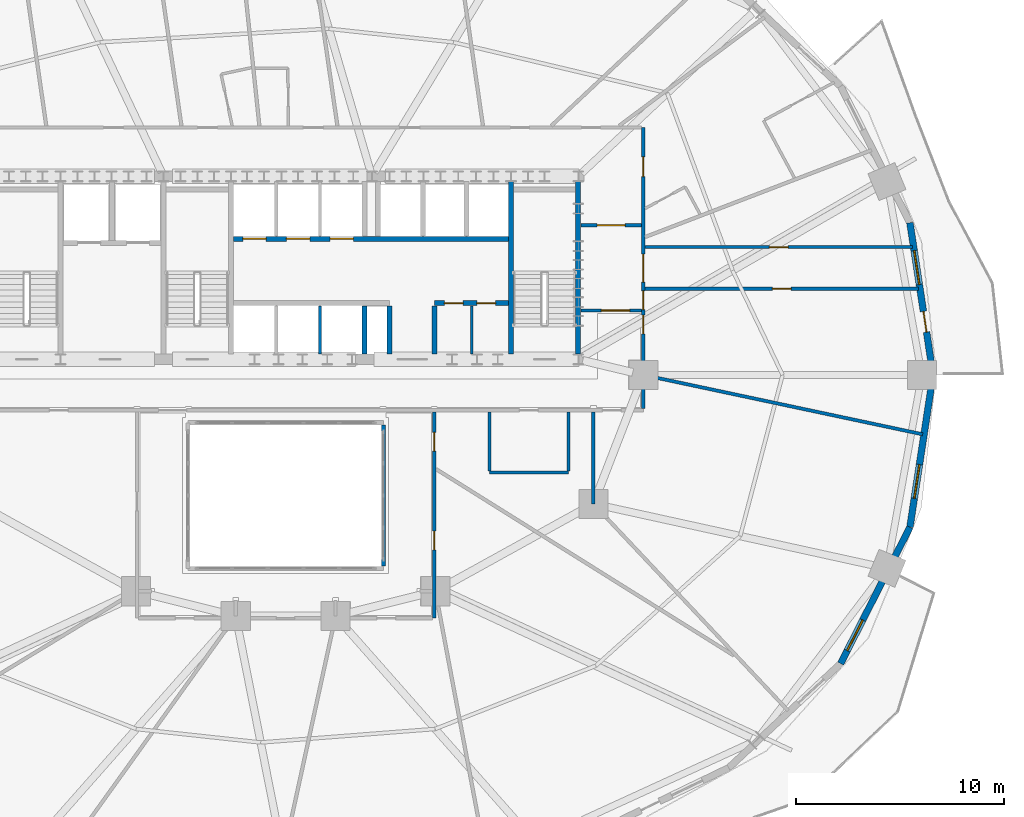
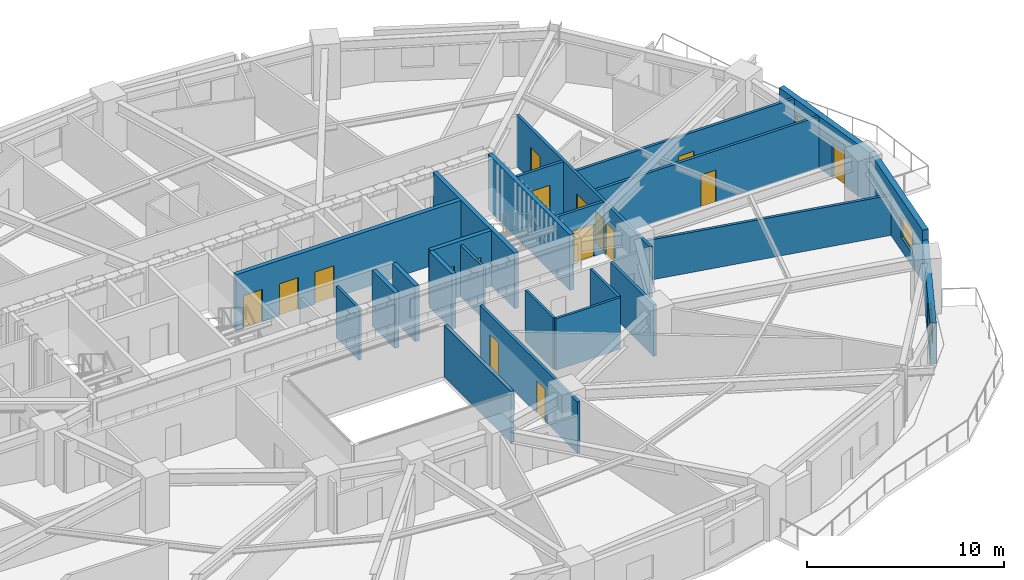
# One storey, part 11 of 17: 24 walls, 16 doors, 3 windows, 19 openings.
"""IFC4 building model written with IfcOpenShell, lengths in metres."""

from ifc_helpers import new_model, si_unit, direction, frame, frame_2d, origin, place, context, subcontext, project, spatial, rectangle, extrude, material, layer, layer_set, type_object, element, fill, save


model = new_model("IFC4")

# Units and contexts
model_context = context("Model", 3, precision=1e-05, world=origin(), true_north=direction((0.0, 1.0)))
body_context = subcontext(model_context, "Body", "Model", "MODEL_VIEW")
ifc_project = project(units=[si_unit("LENGTHUNIT", "METRE"), si_unit("AREAUNIT", "SQUARE_METRE"), si_unit("VOLUMEUNIT", "CUBIC_METRE"), si_unit("PLANEANGLEUNIT", "RADIAN"), si_unit("MASSUNIT", "GRAM", prefix="KILO")], contexts=[model_context])

# Site, building, storey
site_placement = place(None, origin())
site = spatial("IfcSite", under=ifc_project, at=site_placement, CompositionType="ELEMENT")
building_placement = place(site_placement, origin())
building = spatial("IfcBuilding", under=site, at=building_placement, Name="Haldorwick Loom Tower", CompositionType="ELEMENT")
storey_placement = place(building_placement, frame((0.0, 0.0, 27.449951171875)))
storey = spatial("IfcBuildingStorey", under=building, at=storey_placement, Name="L06", CompositionType="ELEMENT", Elevation=27.449951171875)

# Wall, openings, door, window
ifc_material_1 = material(Name="Pressed Clay Face Brick and Insulated Masonry Backup Assembly", Category="masonry")
ifc_layer_1 = layer(ifc_material_1, 0.320068359375, Name="Pressed Clay Face Brick and Insulated Masonry Backup Assembly", Category="masonry")
ifc_layer_set_1 = layer_set([ifc_layer_1], Name="Pressed Clay Face Brick and Insulated Masonry Backup Assembly")
wall_type_1 = type_object("IfcWallType", Name="ARC-WL-EXT320", PredefinedType="STANDARD", material=ifc_layer_set_1)
wall_1_placement = place(storey_placement, frame((67.135986328125, 26.0, 0.0), z_axis=(0.0, 0.0, 1.0), x_axis=(-0.150476322528, 0.988613613278, 0.0)))
wall_1 = element("IfcWall", 1, at=wall_1_placement, inside=storey, type_object=wall_type_1, Name="L06 Brick Pier and Spandrel Wall 1", PredefinedType="STANDARD", context=body_context, shape_type="SweptSolid", body=[
    extrude(rectangle(XDim=7.40478515625, YDim=0.320068359375, at=frame_2d((3.702392578125, 0.0))), origin(), (0.0, 0.0, 1.0), 3.2099609375),
])
opening_1_placement = place(wall_1_placement, frame((2.087646484375, 0.0, 0.0)))
opening_1 = element("IfcOpeningElement", 2, at=opening_1_placement, cuts=wall_1, Name="Opening D-BL10", PredefinedType="OPENING", context=body_context, shape_type="SweptSolid", body=[
    extrude(rectangle(XDim=1.0, YDim=2.0400390625, at=frame_2d((0.5, 1.02001953125))), frame((0.0, 0.169921875, 0.0), z_axis=(0.0, -1.0, 0.0), x_axis=(1.0, 0.0, 0.0)), (0.0, 0.0, 1.0), 0.340087890625),
])
opening_2_placement = place(wall_1_placement, frame((4.39990234375, 0.0, 0.800048828125)))
opening_2 = element("IfcOpeningElement", 3, at=opening_2_placement, cuts=wall_1, Name="Opening W-01B", PredefinedType="OPENING", context=body_context, shape_type="SweptSolid", body=[
    extrude(rectangle(XDim=1.64990234375, YDim=1.449951171875, at=frame_2d((0.824951171875, 0.72509765625))), frame((0.0, 0.169921875, 0.0), z_axis=(0.0, -1.0, 0.0), x_axis=(1.0, 0.0, 0.0)), (0.0, 0.0, 1.0), 0.340087890625),
])
ifc_material_2 = material(Name="Thermally Broken Anodized Aluminium Curtain Wall Framing", Category="aluminium")
door_type_1 = type_object("IfcDoorType", Name="ARC-DR-BAL100", OperationType="NOTDEFINED", PredefinedType="DOOR", material=ifc_material_2)
door_1_placement = place(opening_1_placement, origin())
door_1 = element("IfcDoor", 4, at=door_1_placement, inside=storey, type_object=door_type_1, Name="L06 Outdoor Terrace Door SLB-L06-BAL_ENE", OperationType="SINGLE_SWING_RIGHT", OverallHeight=2.0400390625, OverallWidth=1.0, PredefinedType="DOOR", context=body_context, shape_type="SweptSolid", body=[
    extrude(rectangle(XDim=1.0, YDim=2.0400390625, at=frame_2d((0.5, 1.02001953125))), frame((0.0, 0.02490234375, 0.0), z_axis=(0.0, -1.0, 0.0), x_axis=(1.0, 0.0, 0.0)), (0.0, 0.0, 1.0), 0.050048828125),
])
fill(opening_1, door_1)
ifc_material_3 = material(Name="Triple-Glazed Low-E Argon Insulated Glazing Unit", Category="glass")
window_type = type_object("IfcWindowType", Name="ARC-WIN-W165", PartitioningType="SINGLE_PANEL", PredefinedType="WINDOW", material=ifc_material_3)
window_1_placement = place(opening_2_placement, origin())
window_1 = element("IfcWindow", 5, at=window_1_placement, inside=storey, type_object=window_type, Name="L06 Deep-Set Zone 7A Window 1", OverallHeight=1.449951171875, OverallWidth=1.64990234375, PartitioningType="SINGLE_PANEL", PredefinedType="WINDOW", context=body_context, shape_type="SweptSolid", body=[
    extrude(rectangle(XDim=1.64990234375, YDim=1.449951171875, at=frame_2d((0.824951171875, 0.72509765625))), frame((0.0, 0.030029296875, 0.0), z_axis=(0.0, -1.0, 0.0), x_axis=(1.0, 0.0, 0.0)), (0.0, 0.0, 1.0), 0.06005859375),
])
fill(opening_2, window_1)

# Wall, opening, window
wall_2_placement = place(storey_placement, frame((62.688720703125, 12.119140625, 0.0), z_axis=(0.0, 0.0, 1.0), x_axis=(0.452950855928, 0.891535485617, 0.0)))
wall_2 = element("IfcWall", 6, at=wall_2_placement, inside=storey, type_object=wall_type_1, Name="L06 Brick Pier and Spandrel Wall 23", PredefinedType="STANDARD", context=body_context, shape_type="SweptSolid", body=[
    extrude(rectangle(XDim=7.3583984375, YDim=0.320068359375, at=frame_2d((3.67919921875, 0.0))), origin(), (0.0, 0.0, 1.0), 2.569091796875),
])
opening_3_placement = place(wall_2_placement, frame((0.69921875, 0.0, 0.800048828125)))
opening_3 = element("IfcOpeningElement", 7, at=opening_3_placement, cuts=wall_2, Name="Opening W-01B", PredefinedType="OPENING", context=body_context, shape_type="SweptSolid", body=[
    extrude(rectangle(XDim=1.64990234375, YDim=1.449951171875, at=frame_2d((0.824951171875, 0.72509765625))), frame((0.0, 0.169921875, 0.0), z_axis=(0.0, -1.0, 0.0), x_axis=(1.0, 0.0, 0.0)), (0.0, 0.0, 1.0), 0.340087890625),
])
window_2_placement = place(opening_3_placement, origin())
window_2 = element("IfcWindow", 8, at=window_2_placement, inside=storey, type_object=window_type, Name="L06 Deep-Set Zone 7A Window 23", OverallHeight=1.449951171875, OverallWidth=1.64990234375, PartitioningType="SINGLE_PANEL", PredefinedType="WINDOW", context=body_context, shape_type="SweptSolid", body=[
    extrude(rectangle(XDim=1.64990234375, YDim=1.449951171875, at=frame_2d((0.824951171875, 0.72509765625))), frame((0.0, 0.030029296875, 0.0), z_axis=(0.0, -1.0, 0.0), x_axis=(1.0, 0.0, 0.0)), (0.0, 0.0, 1.0), 0.06005859375),
])
fill(opening_3, window_2)

wall_3_placement = place(storey_placement, frame((66.021728515625, 18.679443359375, 0.0), z_axis=(0.0, 0.0, 1.0), x_axis=(0.150476322528, 0.988613613278, 0.0)))
wall_3 = element("IfcWall", 9, at=wall_3_placement, inside=storey, type_object=wall_type_1, Name="L06 Brick Pier and Spandrel Wall 24", PredefinedType="STANDARD", context=body_context, shape_type="SweptSolid", body=[
    extrude(rectangle(XDim=7.40478515625, YDim=0.320068359375, at=frame_2d((3.702392578125, 0.0))), origin(), (0.0, 0.0, 1.0), 3.2099609375),
])
opening_4_placement = place(wall_3_placement, frame((1.396484375, 0.0, 0.800048828125)))
opening_4 = element("IfcOpeningElement", 10, at=opening_4_placement, cuts=wall_3, Name="Opening W-01B", PredefinedType="OPENING", context=body_context, shape_type="SweptSolid", body=[
    extrude(rectangle(XDim=1.64990234375, YDim=1.449951171875, at=frame_2d((0.824951171875, 0.72509765625))), frame((0.0, 0.169921875, 0.0), z_axis=(0.0, -1.0, 0.0), x_axis=(1.0, 0.0, 0.0)), (0.0, 0.0, 1.0), 0.340087890625),
])
window_3_placement = place(opening_4_placement, origin())
window_3 = element("IfcWindow", 11, at=window_3_placement, inside=storey, type_object=window_type, Name="L06 Deep-Set Zone 7A Window 24", OverallHeight=1.449951171875, OverallWidth=1.64990234375, PartitioningType="SINGLE_PANEL", PredefinedType="WINDOW", context=body_context, shape_type="SweptSolid", body=[
    extrude(rectangle(XDim=1.64990234375, YDim=1.449951171875, at=frame_2d((0.824951171875, 0.72509765625))), frame((0.0, 0.030029296875, 0.0), z_axis=(0.0, -1.0, 0.0), x_axis=(1.0, 0.0, 0.0)), (0.0, 0.0, 1.0), 0.06005859375),
])
fill(opening_4, window_3)

# Wall, openings, doors
ifc_material_4 = material(Name="Fire-Rated Type X Gypsum Stud Assembly EI 60")
ifc_layer_2 = layer(ifc_material_4, 0.159912109375, Name="Fire-Rated Type X Gypsum Stud Assembly EI 60")
ifc_layer_set_2 = layer_set([ifc_layer_2], Name="Fire-Rated Type X Gypsum Stud Assembly EI 60")
wall_type_2 = type_object("IfcWallType", Name="ARC-WL-FIRE160", PredefinedType="PARTITIONING", material=ifc_layer_set_2)
wall_4_placement = place(storey_placement, frame((53.199951171875, 24.383056640625, 0.0), z_axis=(0.0, 0.0, 1.0), x_axis=(0.0, 1.0, 0.0)))
wall_4 = element("IfcWall", 12, at=wall_4_placement, inside=storey, type_object=wall_type_2, Name="L06 Residential Fire Partition L06-CR-E0", PredefinedType="PARTITIONING", context=body_context, shape_type="SweptSolid", body=[
    extrude(rectangle(XDim=13.516845703125, YDim=0.159912109375, at=frame_2d((6.75830078125, 0.0))), origin(), (0.0, 0.0, 1.0), 3.195068359375),
])
opening_5_placement = place(wall_4_placement, frame((6.08349609375, 0.0, 0.0)))
opening_5 = element("IfcOpeningElement", 13, at=opening_5_placement, cuts=wall_4, Name="Opening D-CR15", PredefinedType="OPENING", context=body_context, shape_type="SweptSolid", body=[
    extrude(rectangle(XDim=1.35009765625, YDim=2.0, at=frame_2d((0.675048828125, 1.0))), frame((0.0, 0.08984375, 0.0), z_axis=(0.0, -1.0, 0.0), x_axis=(1.0, 0.0, 0.0)), (0.0, 0.0, 1.0), 0.179931640625),
])
opening_6_placement = place(wall_4_placement, frame((11.158447265625, 0.0, 0.0)))
opening_6 = element("IfcOpeningElement", 14, at=opening_6_placement, cuts=wall_4, Name="Opening D-FL95", PredefinedType="OPENING", context=body_context, shape_type="SweptSolid", body=[
    extrude(rectangle(XDim=0.949951171875, YDim=2.0400390625, at=frame_2d((0.47509765625, 1.02001953125))), frame((0.0, 0.08984375, 0.0), z_axis=(0.0, -1.0, 0.0), x_axis=(1.0, 0.0, 0.0)), (0.0, 0.0, 1.0), 0.179931640625),
])
opening_7_placement = place(wall_4_placement, frame((3.5908203125, 0.0, 0.0)))
opening_7 = element("IfcOpeningElement", 15, at=opening_7_placement, cuts=wall_4, Name="Opening D-FD60A", PredefinedType="OPENING", context=body_context, shape_type="SweptSolid", body=[
    extrude(rectangle(XDim=0.89990234375, YDim=2.0, at=frame_2d((0.449951171875, 1.0))), frame((0.0, 0.08984375, 0.0), z_axis=(0.0, -1.0, 0.0), x_axis=(1.0, 0.0, 0.0)), (0.0, 0.0, 1.0), 0.179931640625),
])
opening_8_placement = place(wall_4_placement, frame((4.75732421875, 0.0, 0.0)))
opening_8 = element("IfcOpeningElement", 16, at=opening_8_placement, cuts=wall_4, Name="Opening D-FD60A", PredefinedType="OPENING", context=body_context, shape_type="SweptSolid", body=[
    extrude(rectangle(XDim=0.89990234375, YDim=2.0, at=frame_2d((0.449951171875, 1.0))), frame((0.0, 0.08984375, 0.0), z_axis=(0.0, -1.0, 0.0), x_axis=(1.0, 0.0, 0.0)), (0.0, 0.0, 1.0), 0.179931640625),
])
ifc_material_5 = material(Name="Thermally Broken Anodized Aluminium and Tempered Glass", Category="aluminium")
door_type_2 = type_object("IfcDoorType", Name="ARC-DR-COR150", OperationType="NOTDEFINED", PredefinedType="DOOR", material=ifc_material_5)
door_2_placement = place(opening_5_placement, origin())
door_2 = element("IfcDoor", 17, at=door_2_placement, inside=storey, type_object=door_type_2, Name="L06 L06 East Residential Corridor to L06 East Daylight Corridor Door", OperationType="DOUBLE_DOOR_SINGLE_SWING", OverallHeight=2.0, OverallWidth=1.35009765625, PredefinedType="DOOR", context=body_context, shape_type="SweptSolid", body=[
    extrude(rectangle(XDim=1.35009765625, YDim=2.0, at=frame_2d((0.675048828125, 1.0))), frame((0.0, 0.02490234375, 0.0), z_axis=(0.0, -1.0, 0.0), x_axis=(1.0, 0.0, 0.0)), (0.0, 0.0, 1.0), 0.050048828125),
])
fill(opening_5, door_2)
ifc_material_6 = material(Name="Hollow Steel Fire Door Assembly", Category="steel")
door_type_3 = type_object("IfcDoorType", Name="ARC-DR-FD60-90", OperationType="NOTDEFINED", PredefinedType="DOOR", material=ifc_material_6)
door_3_placement = place(opening_7_placement, origin())
door_3 = element("IfcDoor", 18, at=door_3_placement, inside=storey, type_object=door_type_3, Name="L06 L06 Central Residential Corridor to Resident Work Office 2 Door", OperationType="SINGLE_SWING_RIGHT", OverallHeight=2.0, OverallWidth=0.89990234375, PredefinedType="DOOR", context=body_context, shape_type="SweptSolid", body=[
    extrude(rectangle(XDim=0.89990234375, YDim=2.0, at=frame_2d((0.449951171875, 1.0))), frame((0.0, 0.02490234375, 0.0), z_axis=(0.0, -1.0, 0.0), x_axis=(1.0, 0.0, 0.0)), (0.0, 0.0, 1.0), 0.050048828125),
])
fill(opening_7, door_3)
door_4_placement = place(opening_8_placement, origin())
door_4 = element("IfcDoor", 19, at=door_4_placement, inside=storey, type_object=door_type_3, Name="L06 L06 East Residential Corridor to Resident Work Office 2 Door", OperationType="SINGLE_SWING_RIGHT", OverallHeight=2.0, OverallWidth=0.89990234375, PredefinedType="DOOR", context=body_context, shape_type="SweptSolid", body=[
    extrude(rectangle(XDim=0.89990234375, YDim=2.0, at=frame_2d((0.449951171875, 1.0))), frame((0.0, 0.02490234375, 0.0), z_axis=(0.0, -1.0, 0.0), x_axis=(1.0, 0.0, 0.0)), (0.0, 0.0, 1.0), 0.050048828125),
])
fill(opening_8, door_4)
ifc_material_7 = material(Name="Solid Core Birch Architectural Door")
door_type_4 = type_object("IfcDoorType", Name="ARC-DR-FLAT95", OperationType="NOTDEFINED", PredefinedType="DOOR", material=ifc_material_7)
door_5_placement = place(opening_6_placement, origin())
door_5 = element("IfcDoor", 20, at=door_5_placement, inside=storey, type_object=door_type_4, Name="L06 L06 North Residential Corridor to Unit 06K Kitchen and Living Room D", OperationType="SINGLE_SWING_RIGHT", OverallHeight=2.0400390625, OverallWidth=0.949951171875, PredefinedType="DOOR", context=body_context, shape_type="SweptSolid", body=[
    extrude(rectangle(XDim=0.949951171875, YDim=2.0400390625, at=frame_2d((0.47509765625, 1.02001953125))), frame((0.0, 0.02490234375, 0.0), z_axis=(0.0, -1.0, 0.0), x_axis=(1.0, 0.0, 0.0)), (0.0, 0.0, 1.0), 0.050048828125),
])
fill(opening_6, door_5)

# Wall, opening, door
wall_5_placement = place(storey_placement, frame((50.193115234375, 29.10009765625, 0.0), z_axis=(0.0, 0.0, 1.0), x_axis=(1.0, 0.0, 0.0)))
wall_5 = element("IfcWall", 21, at=wall_5_placement, inside=storey, type_object=wall_type_2, Name="L06 Residential Fire Partition L06-CR-ESJ", PredefinedType="PARTITIONING", context=body_context, shape_type="SweptSolid", body=[
    extrude(rectangle(XDim=2.923828125, YDim=0.159912109375, at=frame_2d((1.4619140625, 0.0))), origin(), (0.0, 0.0, 1.0), 3.195068359375),
])
opening_9_placement = place(wall_5_placement, frame((0.99560546875, 0.0, 0.0)))
opening_9 = element("IfcOpeningElement", 22, at=opening_9_placement, cuts=wall_5, Name="Opening D-CR15", PredefinedType="OPENING", context=body_context, shape_type="SweptSolid", body=[
    extrude(rectangle(XDim=1.35009765625, YDim=2.0, at=frame_2d((0.675048828125, 1.0))), frame((0.0, 0.08984375, 0.0), z_axis=(0.0, -1.0, 0.0), x_axis=(1.0, 0.0, 0.0)), (0.0, 0.0, 1.0), 0.179931640625),
])
door_6_placement = place(opening_9_placement, origin())
door_6 = element("IfcDoor", 23, at=door_6_placement, inside=storey, type_object=door_type_2, Name="L06 L06 East Residential Corridor to L06 Central Residential Corridor Do", OperationType="DOUBLE_DOOR_SINGLE_SWING", OverallHeight=2.0, OverallWidth=1.35009765625, PredefinedType="DOOR", context=body_context, shape_type="SweptSolid", body=[
    extrude(rectangle(XDim=1.35009765625, YDim=2.0, at=frame_2d((0.675048828125, 1.0))), frame((0.0, 0.02490234375, 0.0), z_axis=(0.0, -1.0, 0.0), x_axis=(1.0, 0.0, 0.0)), (0.0, 0.0, 1.0), 0.050048828125),
])
fill(opening_9, door_6)

wall_6_placement = place(storey_placement, frame((50.193115234375, 33.199951171875, 0.0), z_axis=(0.0, 0.0, 1.0), x_axis=(1.0, 0.0, 0.0)))
wall_6 = element("IfcWall", 24, at=wall_6_placement, inside=storey, type_object=wall_type_2, Name="L06 Residential Fire Partition L06-CR-ENJ", PredefinedType="PARTITIONING", context=body_context, shape_type="SweptSolid", body=[
    extrude(rectangle(XDim=2.923828125, YDim=0.159912109375, at=frame_2d((1.4619140625, 0.0))), origin(), (0.0, 0.0, 1.0), 3.195068359375),
])
opening_10_placement = place(wall_6_placement, frame((0.787109375, 0.0, 0.0)))
opening_10 = element("IfcOpeningElement", 25, at=opening_10_placement, cuts=wall_6, Name="Opening D-CR15", PredefinedType="OPENING", context=body_context, shape_type="SweptSolid", body=[
    extrude(rectangle(XDim=1.35009765625, YDim=2.0, at=frame_2d((0.675048828125, 1.0))), frame((0.0, 0.08984375, 0.0), z_axis=(0.0, -1.0, 0.0), x_axis=(1.0, 0.0, 0.0)), (0.0, 0.0, 1.0), 0.179931640625),
])
door_7_placement = place(opening_10_placement, origin())
door_7 = element("IfcDoor", 26, at=door_7_placement, inside=storey, type_object=door_type_2, Name="L06 L06 North Residential Corridor to L06 East Residential Corridor Door", OperationType="DOUBLE_DOOR_SINGLE_SWING", OverallHeight=2.0, OverallWidth=1.35009765625, PredefinedType="DOOR", context=body_context, shape_type="SweptSolid", body=[
    extrude(rectangle(XDim=1.35009765625, YDim=2.0, at=frame_2d((0.675048828125, 1.0))), frame((0.0, 0.02490234375, 0.0), z_axis=(0.0, -1.0, 0.0), x_axis=(1.0, 0.0, 0.0)), (0.0, 0.0, 1.0), 0.050048828125),
])
fill(opening_10, door_7)

# Wall, openings, doors
wall_7_placement = place(storey_placement, frame((43.14990234375, 14.300048828125, 0.0), z_axis=(0.0, 0.0, 1.0), x_axis=(0.0, 1.0, 0.0)))
wall_7 = element("IfcWall", 27, at=wall_7_placement, inside=storey, type_object=wall_type_2, Name="L06 Residential Fire Partition L06-CR-AE", PredefinedType="PARTITIONING", context=body_context, shape_type="SweptSolid", body=[
    extrude(rectangle(XDim=9.9169921875, YDim=0.159912109375, at=frame_2d((4.95849609375, 0.0))), origin(), (0.0, 0.0, 1.0), 3.195068359375),
])
opening_11_placement = place(wall_7_placement, frame((3.285888671875, 0.0, 0.0)))
opening_11 = element("IfcOpeningElement", 28, at=opening_11_placement, cuts=wall_7, Name="Opening D-FD60A", PredefinedType="OPENING", context=body_context, shape_type="SweptSolid", body=[
    extrude(rectangle(XDim=0.89990234375, YDim=2.0, at=frame_2d((0.449951171875, 1.0))), frame((0.0, 0.08984375, 0.0), z_axis=(0.0, -1.0, 0.0), x_axis=(1.0, 0.0, 0.0)), (0.0, 0.0, 1.0), 0.179931640625),
])
opening_12_placement = place(wall_7_placement, frame((8.034423828125, 0.0, 0.0)))
opening_12 = element("IfcOpeningElement", 29, at=opening_12_placement, cuts=wall_7, Name="Opening D-FD60A", PredefinedType="OPENING", context=body_context, shape_type="SweptSolid", body=[
    extrude(rectangle(XDim=0.89990234375, YDim=2.0, at=frame_2d((0.449951171875, 1.0))), frame((0.0, 0.08984375, 0.0), z_axis=(0.0, -1.0, 0.0), x_axis=(1.0, 0.0, 0.0)), (0.0, 0.0, 1.0), 0.179931640625),
])
door_8_placement = place(opening_11_placement, origin())
door_8 = element("IfcDoor", 30, at=door_8_placement, inside=storey, type_object=door_type_3, Name="L06 L06 South Atrium Corridor to Community Library Hall 16 Door", OperationType="SINGLE_SWING_RIGHT", OverallHeight=2.0, OverallWidth=0.89990234375, PredefinedType="DOOR", context=body_context, shape_type="SweptSolid", body=[
    extrude(rectangle(XDim=0.89990234375, YDim=2.0, at=frame_2d((0.449951171875, 1.0))), frame((0.0, 0.02490234375, 0.0), z_axis=(0.0, -1.0, 0.0), x_axis=(1.0, 0.0, 0.0)), (0.0, 0.0, 1.0), 0.050048828125),
])
fill(opening_11, door_8)
door_9_placement = place(opening_12_placement, origin())
door_9 = element("IfcDoor", 31, at=door_9_placement, inside=storey, type_object=door_type_3, Name="L06 L06 South Atrium Corridor to Resident Work Office 1 Door", OperationType="SINGLE_SWING_RIGHT", OverallHeight=2.0, OverallWidth=0.89990234375, PredefinedType="DOOR", context=body_context, shape_type="SweptSolid", body=[
    extrude(rectangle(XDim=0.89990234375, YDim=2.0, at=frame_2d((0.449951171875, 1.0))), frame((0.0, 0.02490234375, 0.0), z_axis=(0.0, -1.0, 0.0), x_axis=(1.0, 0.0, 0.0)), (0.0, 0.0, 1.0), 0.050048828125),
])
fill(opening_12, door_9)

# Wall, opening, door
wall_8_placement = place(storey_placement, frame((53.282958984375, 30.14990234375, 0.0), z_axis=(0.0, 0.0, 1.0), x_axis=(1.0, 0.0, 0.0)))
wall_8 = element("IfcWall", 32, at=wall_8_placement, inside=storey, type_object=wall_type_2, Name="L06 Residential Fire Partition L06-CR-GE0", PredefinedType="PARTITIONING", context=body_context, shape_type="SweptSolid", body=[
    extrude(rectangle(XDim=13.15576171875, YDim=0.159912109375, at=frame_2d((6.577880859375, 0.0))), origin(), (0.0, 0.0, 1.0), 3.195068359375),
])
opening_13_placement = place(wall_8_placement, frame((6.127685546875, 0.0, 0.0)))
opening_13 = element("IfcOpeningElement", 33, at=opening_13_placement, cuts=wall_8, Name="Opening D-FD60A", PredefinedType="OPENING", context=body_context, shape_type="SweptSolid", body=[
    extrude(rectangle(XDim=0.89990234375, YDim=2.0, at=frame_2d((0.449951171875, 1.0))), frame((0.0, 0.08984375, 0.0), z_axis=(0.0, -1.0, 0.0), x_axis=(1.0, 0.0, 0.0)), (0.0, 0.0, 1.0), 0.179931640625),
])
door_10_placement = place(opening_13_placement, origin())
door_10 = element("IfcDoor", 34, at=door_10_placement, inside=storey, type_object=door_type_3, Name="L06 L06 East Daylight Corridor to Resident Work Office 2 Door", OperationType="SINGLE_SWING_LEFT", OverallHeight=2.0, OverallWidth=0.89990234375, PredefinedType="DOOR", context=body_context, shape_type="SweptSolid", body=[
    extrude(rectangle(XDim=0.89990234375, YDim=2.0, at=frame_2d((0.449951171875, 1.0))), frame((0.0, 0.02490234375, 0.0), z_axis=(0.0, -1.0, 0.0), x_axis=(1.0, 0.0, 0.0)), (0.0, 0.0, 1.0), 0.050048828125),
])
fill(opening_13, door_10)

wall_9_placement = place(storey_placement, frame((53.282958984375, 32.14990234375, 0.0), z_axis=(0.0, 0.0, 1.0), x_axis=(1.0, 0.0, 0.0)))
wall_9 = element("IfcWall", 35, at=wall_9_placement, inside=storey, type_object=wall_type_2, Name="L06 Residential Fire Partition L06-CR-GE1", PredefinedType="PARTITIONING", context=body_context, shape_type="SweptSolid", body=[
    extrude(rectangle(XDim=12.851318359375, YDim=0.159912109375, at=frame_2d((6.42578125, 0.0))), origin(), (0.0, 0.0, 1.0), 3.195068359375),
])
opening_14_placement = place(wall_9_placement, frame((5.9755859375, 0.0, 0.0)))
opening_14 = element("IfcOpeningElement", 36, at=opening_14_placement, cuts=wall_9, Name="Opening D-FD60A", PredefinedType="OPENING", context=body_context, shape_type="SweptSolid", body=[
    extrude(rectangle(XDim=0.89990234375, YDim=2.0, at=frame_2d((0.449951171875, 1.0))), frame((0.0, 0.08984375, 0.0), z_axis=(0.0, -1.0, 0.0), x_axis=(1.0, 0.0, 0.0)), (0.0, 0.0, 1.0), 0.179931640625),
])
door_11_placement = place(opening_14_placement, frame((0.89990234375, 0.0, 0.0), z_axis=(0.0, 0.0, 1.0), x_axis=(-1.0, 0.0, 0.0)))
door_11 = element("IfcDoor", 37, at=door_11_placement, inside=storey, type_object=door_type_3, Name="L06 Resident Study Room 11 to L06 East Daylight Corridor Door", OperationType="SINGLE_SWING_RIGHT", OverallHeight=2.0, OverallWidth=0.89990234375, PredefinedType="DOOR", context=body_context, shape_type="SweptSolid", body=[
    extrude(rectangle(XDim=0.89990234375, YDim=2.0, at=frame_2d((0.449951171875, 1.0))), frame((0.0, 0.02490234375, 0.0), z_axis=(0.0, -1.0, 0.0), x_axis=(1.0, 0.0, 0.0)), (0.0, 0.0, 1.0), 0.050048828125),
])
fill(opening_14, door_11)

# Walls
wall_10_placement = place(storey_placement, frame((53.282958984375, 25.982421875, 0.0), z_axis=(0.0, 0.0, 1.0), x_axis=(0.978148122559, -0.207909235807, 0.0)))
element("IfcWall", 38, at=wall_10_placement, inside=storey, type_object=wall_type_2, Name="L06 Residential Fire Partition L06-ICR-01", PredefinedType="PARTITIONING", context=body_context, shape_type="SweptSolid", body=[
    extrude(rectangle(XDim=13.65087890625, YDim=0.159912109375, at=frame_2d((6.825439453125, 0.0))), origin(), (0.0, 0.0, 1.0), 2.489990234375),
])
wall_11_placement = place(storey_placement, frame((50.800048828125, 24.217041015625, 0.0), z_axis=(0.0, 0.0, 1.0), x_axis=(0.0, -1.0, 0.0)))
element("IfcWall", 39, at=wall_11_placement, inside=storey, type_object=wall_type_2, Name="L06 Residential Fire Partition L06-ICA-02", PredefinedType="PARTITIONING", context=body_context, shape_type="SweptSolid", body=[
    extrude(rectangle(XDim=4.4169921875, YDim=0.159912109375, at=frame_2d((2.20849609375, 0.0))), origin(), (0.0, 0.0, 1.0), 3.195068359375),
])
ifc_material_8 = material(Name="Fire-Rated Type X Gypsum Stud Assembly EI 120")
ifc_layer_3 = layer(ifc_material_8, 0.199951171875, Name="Fire-Rated Type X Gypsum Stud Assembly EI 120")
ifc_layer_set_3 = layer_set([ifc_layer_3], Name="Fire-Rated Type X Gypsum Stud Assembly EI 120")
wall_type_3 = type_object("IfcWallType", Name="ARC-WL-FIRE200", PredefinedType="PARTITIONING", material=ifc_layer_set_3)
wall_12_placement = place(storey_placement, frame((40.699951171875, 23.596923828125, 0.0), z_axis=(0.0, 0.0, 1.0), x_axis=(0.0, -1.0, 0.0)))
element("IfcWall", 40, at=wall_12_placement, inside=storey, type_object=wall_type_3, Name="L06 Atrium Fire Enclosure Wall E", PredefinedType="PARTITIONING", context=body_context, shape_type="SweptSolid", body=[
    extrude(rectangle(XDim=6.7939453125, YDim=0.199951171875, at=frame_2d((3.39697265625, 0.0))), origin(), (0.0, 0.0, 1.0), 3.195068359375),
])
ifc_layer_4 = layer(ifc_material_4, 0.139892578125, Name="Fire-Rated Type X Gypsum Stud Assembly EI 60")
ifc_layer_set_4 = layer_set([ifc_layer_4], Name="Fire-Rated Type X Gypsum Stud Assembly EI 60")
wall_type_4 = type_object("IfcWallType", Name="ARC-WL-PART140", PredefinedType="PARTITIONING", material=ifc_layer_set_4)
wall_13_placement = place(storey_placement, frame((44.949951171875, 27.0029296875, 0.0), z_axis=(0.0, 0.0, 1.0), x_axis=(0.0, 1.0, 0.0)))
element("IfcWall", 41, at=wall_13_placement, inside=storey, type_object=wall_type_4, Name="L06 Service Partition", PredefinedType="PARTITIONING", context=body_context, shape_type="SweptSolid", body=[
    extrude(rectangle(XDim=2.323974609375, YDim=0.139892578125, at=frame_2d((1.162109375, 0.0))), origin(), (0.0, 0.0, 1.0), 3.195068359375),
])
wall_14_placement = place(storey_placement, frame((45.800048828125, 21.300048828125, 0.0), z_axis=(0.0, 0.0, 1.0), x_axis=(1.0, 0.0, 0.0)))
element("IfcWall", 42, at=wall_14_placement, inside=storey, type_object=wall_type_4, Name="L06 Residential Fire Partition L06-CWC-S", PredefinedType="PARTITIONING", context=body_context, shape_type="SweptSolid", body=[
    extrude(rectangle(XDim=3.800048828125, YDim=0.139892578125, at=frame_2d((1.89990234375, 0.0))), origin(), (0.0, 0.0, 1.0), 3.195068359375),
])
for number, where, z_axis, x_axis, name in (
    (43, (45.800048828125, 21.373046875, 0.0), (0.0, 0.0, 1.0), (0.0, 1.0, 0.0), "L06 Residential Fire Partition L06-CWC-W"),
    (44, (49.60009765625, 21.373046875, 0.0), (0.0, 0.0, 1.0), (0.0, 1.0, 0.0), "L06 Residential Fire Partition L06-CWC-E"),
):
    element("IfcWall", number, at=place(storey_placement, frame(where, z_axis=z_axis, x_axis=x_axis)), inside=storey, type_object=wall_type_4, Name=name, PredefinedType="PARTITIONING", context=body_context, shape_type="SweptSolid", body=[
        extrude(rectangle(XDim=2.843994140625, YDim=0.139892578125, at=frame_2d((1.421875, 0.0))), origin(), (0.0, 0.0, 1.0), 3.195068359375),
    ])
ifc_layer_5 = layer(ifc_material_8, 0.1650390625, Name="Fire-Rated Type X Gypsum Stud Assembly EI 120")
ifc_layer_set_5 = layer_set([ifc_layer_5], Name="Fire-Rated Type X Gypsum Stud Assembly EI 120")
wall_type_5 = type_object("IfcWallType", Name="ARC-WL-SHAFT160", PredefinedType="MOVABLE", material=ifc_layer_set_5)
wall_15_placement = place(storey_placement, frame((37.64990234375, 27.0029296875, 0.0), z_axis=(0.0, 0.0, 1.0), x_axis=(0.0, 1.0, 0.0)))
element("IfcWall", 45, at=wall_15_placement, inside=storey, type_object=wall_type_5, Name="L06 Mid-Rise Hoistway Divider 2", PredefinedType="MOVABLE", context=body_context, shape_type="SweptSolid", body=[
    extrude(rectangle(XDim=2.323974609375, YDim=0.159912109375, at=frame_2d((1.162109375, 0.0))), origin(), (0.0, 0.0, 1.0), 3.195068359375),
])
ifc_material_9 = material(Name="Concrete C50 (50 MPa)", Category="concrete")
ifc_layer_6 = layer(ifc_material_9, 0.239990234375, Name="Concrete C50 (50 MPa)", Category="concrete")
ifc_layer_set_6 = layer_set([ifc_layer_6], Name="Concrete C50 (50 MPa)")
wall_type_6 = type_object("IfcWallType", Name="STR-WL-SHAFT240", PredefinedType="SHEAR", material=ifc_layer_set_6)
for number, where, z_axis, x_axis, name in (
    (46, (50.070068359375, 27.0029296875, 0.0), (0.0, 0.0, 1.0), (0.0, 1.0, 0.0), "L06 Core Shear Wall E"),
    (47, (46.830078125, 27.0029296875, 0.0), (0.0, 0.0, 1.0), (0.0, 1.0, 0.0), "L06 Core Shear Wall 4"),
):
    element("IfcWall", number, at=place(storey_placement, frame(where, z_axis=z_axis, x_axis=x_axis)), inside=storey, type_object=wall_type_6, Name=name, PredefinedType="SHEAR", context=body_context, shape_type="SweptSolid", body=[
        extrude(rectangle(XDim=8.294189453125, YDim=0.239990234375, at=frame_2d((4.14697265625, 0.0))), origin(), (0.0, 0.0, 1.0), 3.449951171875),
    ])

# Wall, openings, doors
wall_16_placement = place(storey_placement, frame((33.492919921875, 32.550048828125, 0.0), z_axis=(0.0, 0.0, 1.0), x_axis=(1.0, 0.0, 0.0)))
wall_16 = element("IfcWall", 48, at=wall_16_placement, inside=storey, type_object=wall_type_6, Name="L06 Core Shear Wall LN", PredefinedType="SHEAR", context=body_context, shape_type="SweptSolid", body=[
    extrude(rectangle(XDim=13.214111328125, YDim=0.239990234375, at=frame_2d((6.60693359375, 0.0))), origin(), (0.0, 0.0, 1.0), 3.449951171875),
])
opening_15_placement = place(wall_16_placement, frame((0.447021484375, 0.0, 0.0)))
opening_15 = element("IfcOpeningElement", 49, at=opening_15_placement, cuts=wall_16, Name="Opening LD-L1", PredefinedType="OPENING", context=body_context, shape_type="SweptSolid", body=[
    extrude(rectangle(XDim=1.1201171875, YDim=2.0, at=frame_2d((0.56005859375, 1.0))), frame((0.0, 0.1298828125, 0.0), z_axis=(0.0, -1.0, 0.0), x_axis=(1.0, 0.0, 0.0)), (0.0, 0.0, 1.0), 0.260009765625),
])
opening_16_placement = place(wall_16_placement, frame((2.547119140625, 0.0, 0.0)))
opening_16 = element("IfcOpeningElement", 50, at=opening_16_placement, cuts=wall_16, Name="Opening LD-L2", PredefinedType="OPENING", context=body_context, shape_type="SweptSolid", body=[
    extrude(rectangle(XDim=1.1201171875, YDim=2.0, at=frame_2d((0.56005859375, 1.0))), frame((0.0, 0.1298828125, 0.0), z_axis=(0.0, -1.0, 0.0), x_axis=(1.0, 0.0, 0.0)), (0.0, 0.0, 1.0), 0.260009765625),
])
opening_17_placement = place(wall_16_placement, frame((4.64697265625, 0.0, 0.0)))
opening_17 = element("IfcOpeningElement", 51, at=opening_17_placement, cuts=wall_16, Name="Opening LD-L3", PredefinedType="OPENING", context=body_context, shape_type="SweptSolid", body=[
    extrude(rectangle(XDim=1.1201171875, YDim=2.0, at=frame_2d((0.56005859375, 1.0))), frame((0.0, 0.1298828125, 0.0), z_axis=(0.0, -1.0, 0.0), x_axis=(1.0, 0.0, 0.0)), (0.0, 0.0, 1.0), 0.260009765625),
])
door_type_5 = type_object("IfcDoorType", Name="ARC-DR-LD-PAX", OperationType="NOTDEFINED", PredefinedType="USERDEFINED", material=ifc_material_6)
door_12_placement = place(opening_15_placement, origin())
door_12 = element("IfcDoor", 52, at=door_12_placement, inside=storey, type_object=door_type_5, Name="L06 Lift LF-L1 Sliding Landing Door", ObjectType="LANDING DOOR", OperationType="DOUBLE_DOOR_SLIDING", OverallHeight=2.0, OverallWidth=1.1201171875, PredefinedType="USERDEFINED", context=body_context, shape_type="SweptSolid", body=[
    extrude(rectangle(XDim=1.1201171875, YDim=2.0, at=frame_2d((0.56005859375, 1.0))), frame((0.0, 0.02490234375, 0.0), z_axis=(0.0, -1.0, 0.0), x_axis=(1.0, 0.0, 0.0)), (0.0, 0.0, 1.0), 0.050048828125),
])
fill(opening_15, door_12)
door_13_placement = place(opening_16_placement, origin())
door_13 = element("IfcDoor", 53, at=door_13_placement, inside=storey, type_object=door_type_5, Name="L06 Lift LF-L2 Sliding Landing Door", ObjectType="LANDING DOOR", OperationType="DOUBLE_DOOR_SLIDING", OverallHeight=2.0, OverallWidth=1.1201171875, PredefinedType="USERDEFINED", context=body_context, shape_type="SweptSolid", body=[
    extrude(rectangle(XDim=1.1201171875, YDim=2.0, at=frame_2d((0.56005859375, 1.0))), frame((0.0, 0.02490234375, 0.0), z_axis=(0.0, -1.0, 0.0), x_axis=(1.0, 0.0, 0.0)), (0.0, 0.0, 1.0), 0.050048828125),
])
fill(opening_16, door_13)
door_14_placement = place(opening_17_placement, origin())
door_14 = element("IfcDoor", 54, at=door_14_placement, inside=storey, type_object=door_type_5, Name="L06 Lift LF-L3 Sliding Landing Door", ObjectType="LANDING DOOR", OperationType="DOUBLE_DOOR_SLIDING", OverallHeight=2.0, OverallWidth=1.1201171875, PredefinedType="USERDEFINED", context=body_context, shape_type="SweptSolid", body=[
    extrude(rectangle(XDim=1.1201171875, YDim=2.0, at=frame_2d((0.56005859375, 1.0))), frame((0.0, 0.02490234375, 0.0), z_axis=(0.0, -1.0, 0.0), x_axis=(1.0, 0.0, 0.0)), (0.0, 0.0, 1.0), 0.050048828125),
])
fill(opening_17, door_14)

wall_17_placement = place(storey_placement, frame((43.14990234375, 29.449951171875, 0.0), z_axis=(0.0, 0.0, 1.0), x_axis=(1.0, 0.0, 0.0)))
wall_17 = element("IfcWall", 55, at=wall_17_placement, inside=storey, type_object=wall_type_6, Name="L06 Core Shear Wall LS2", PredefinedType="SHEAR", context=body_context, shape_type="SweptSolid", body=[
    extrude(rectangle(XDim=3.55712890625, YDim=0.239990234375, at=frame_2d((1.778564453125, 0.0))), origin(), (0.0, 0.0, 1.0), 3.449951171875),
])
opening_18_placement = place(wall_17_placement, frame((0.47998046875, 0.0, 0.0)))
opening_18 = element("IfcOpeningElement", 56, at=opening_18_placement, cuts=wall_17, Name="Opening D-FD60A", PredefinedType="OPENING", context=body_context, shape_type="SweptSolid", body=[
    extrude(rectangle(XDim=0.89990234375, YDim=2.0, at=frame_2d((0.449951171875, 1.0))), frame((0.0, 0.1298828125, 0.0), z_axis=(0.0, -1.0, 0.0), x_axis=(1.0, 0.0, 0.0)), (0.0, 0.0, 1.0), 0.260009765625),
])
opening_19_placement = place(wall_17_placement, frame((2.050048828125, 0.0, 0.0)))
opening_19 = element("IfcOpeningElement", 57, at=opening_19_placement, cuts=wall_17, Name="Opening D-FD60A", PredefinedType="OPENING", context=body_context, shape_type="SweptSolid", body=[
    extrude(rectangle(XDim=0.89990234375, YDim=2.0, at=frame_2d((0.449951171875, 1.0))), frame((0.0, 0.1298828125, 0.0), z_axis=(0.0, -1.0, 0.0), x_axis=(1.0, 0.0, 0.0)), (0.0, 0.0, 1.0), 0.260009765625),
])
door_15_placement = place(opening_18_placement, origin())
door_15 = element("IfcDoor", 58, at=door_15_placement, inside=storey, type_object=door_type_3, Name="L06 Electrical Room Door", OperationType="SINGLE_SWING_LEFT", OverallHeight=2.0, OverallWidth=0.89990234375, PredefinedType="DOOR", context=body_context, shape_type="SweptSolid", body=[
    extrude(rectangle(XDim=0.89990234375, YDim=2.0, at=frame_2d((0.449951171875, 1.0))), frame((0.0, 0.02490234375, 0.0), z_axis=(0.0, -1.0, 0.0), x_axis=(1.0, 0.0, 0.0)), (0.0, 0.0, 1.0), 0.050048828125),
])
fill(opening_18, door_15)
door_16_placement = place(opening_19_placement, origin())
door_16 = element("IfcDoor", 59, at=door_16_placement, inside=storey, type_object=door_type_3, Name="L06 Cleaner's Store Door", OperationType="SINGLE_SWING_LEFT", OverallHeight=2.0, OverallWidth=0.89990234375, PredefinedType="DOOR", context=body_context, shape_type="SweptSolid", body=[
    extrude(rectangle(XDim=0.89990234375, YDim=2.0, at=frame_2d((0.449951171875, 1.0))), frame((0.0, 0.02490234375, 0.0), z_axis=(0.0, -1.0, 0.0), x_axis=(1.0, 0.0, 0.0)), (0.0, 0.0, 1.0), 0.050048828125),
])
fill(opening_19, door_16)

# Walls
for number, where, z_axis, x_axis, name in (
    (60, (41.0, 27.0029296875, 0.0), (0.0, 0.0, 1.0), (0.0, 1.0, 0.0), "L06 Core Shear Wall THW"),
    (61, (43.14990234375, 27.0029296875, 0.0), (0.0, 0.0, 1.0), (0.0, 1.0, 0.0), "L06 Core Shear Wall THE"),
    (62, (39.800048828125, 27.0029296875, 0.0), (0.0, 0.0, 1.0), (0.0, 1.0, 0.0), "L06 Core Shear Wall MRW"),
):
    element("IfcWall", number, at=place(storey_placement, frame(where, z_axis=z_axis, x_axis=x_axis)), inside=storey, type_object=wall_type_6, Name=name, PredefinedType="SHEAR", context=body_context, shape_type="SweptSolid", body=[
        extrude(rectangle(XDim=2.323974609375, YDim=0.239990234375, at=frame_2d((1.162109375, 0.0))), origin(), (0.0, 0.0, 1.0), 3.449951171875),
    ])

save(model, "model.ifc")
